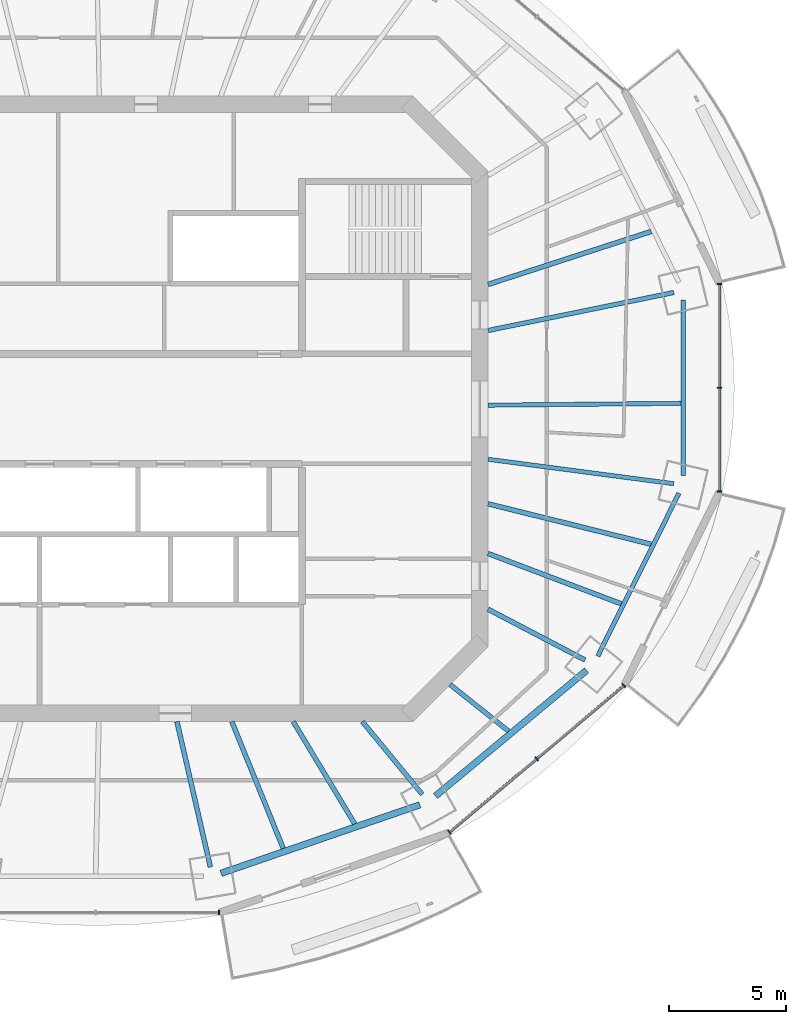
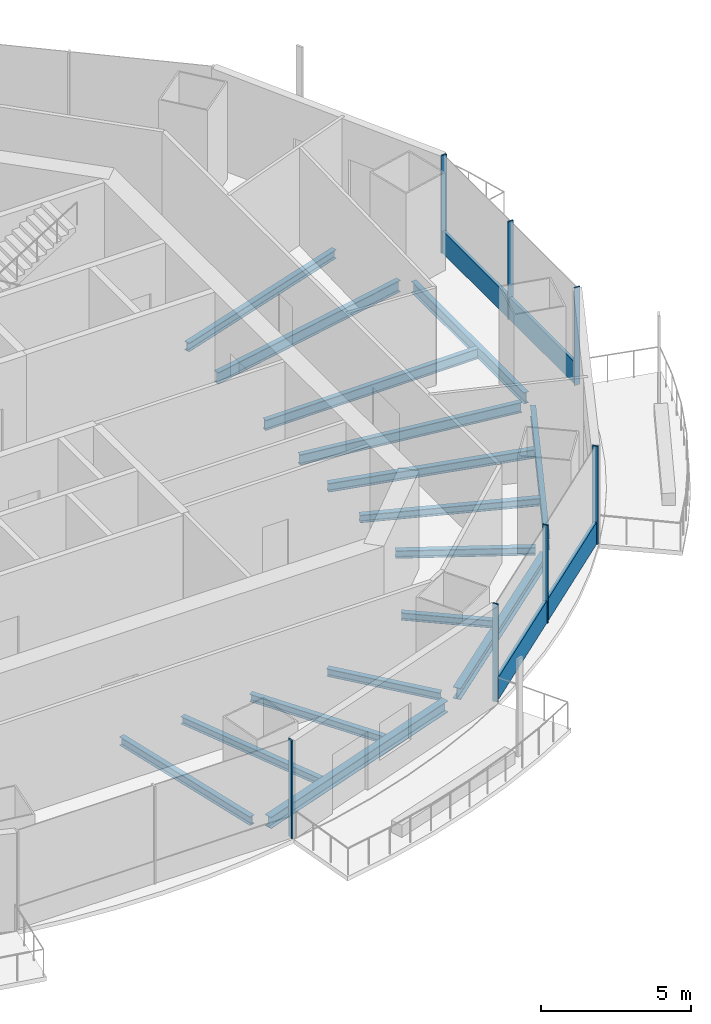
# One storey, part 4 of 16: 16 beams, 9 members, 3 elements without a shape of their own.
"""IFC4 building model written with IfcOpenShell, lengths in metres."""

import ifcopenshell
import ifcopenshell.guid

model = None  # the IFC model being written
_history = None  # IfcOwnerHistory: only IFC2X3 demands one
_inside = {}  # id of a spatial element -> (the spatial element, [elements in it])
_under = {}  # id of a project, library or spatial element -> (it, [spatial elements below it])
_declared = {}  # id of a project -> (the project, [libraries it declares])
_typed = {}  # id of a type object -> (the type object, [elements of that type])
_made_of = {}  # id of a material, layer set ... -> (it, [elements and type objects made of it])


def new_model(schema):
    """Start an empty IFC model of exactly this schema.

    Asked for "IFC4X3", IfcOpenShell would pick the latest addendum, in which some entities
    have other attributes; the version numbers below select the first issue.
    IFC2X3 requires an IfcOwnerHistory on every rooted entity: one is made here for all.
    """
    global model, _history
    if schema == "IFC4X3":
        model = ifcopenshell.file(schema_version=(4, 3, 0, 0))
    else:
        model = ifcopenshell.file(schema=schema)
    _inside.clear()
    _under.clear()
    _declared.clear()
    _typed.clear()
    _made_of.clear()
    _history = None
    if model.schema == "IFC2X3":
        org = make("IfcOrganization", Name="unknown")
        user = make(
            "IfcPersonAndOrganization",
            ThePerson=make("IfcPerson", FamilyName="unknown"),
            TheOrganization=org,
        )
        app = make(
            "IfcApplication",
            ApplicationDeveloper=org,
            Version="unknown",
            ApplicationFullName="unknown",
            ApplicationIdentifier="unknown",
        )
        _history = make(
            "IfcOwnerHistory",
            OwningUser=user,
            OwningApplication=app,
            ChangeAction="ADDED",
            CreationDate=0,
        )
    return model


def make(cls, **values):
    """One entity of the class cls with the attributes given. An attribute that is None is left unset."""
    return model.create_entity(
        cls, **{name: value for name, value in values.items() if value is not None}
    )


def rooted(cls, **values):
    """An entity with a GlobalId (a new one), such as an element, a storey or a relation."""
    return make(cls, GlobalId=ifcopenshell.guid.new(), OwnerHistory=_history, **values)


def si_unit(unit_type, name, prefix=None):
    """IfcSIUnit, for example si_unit("LENGTHUNIT", "METRE", prefix="MILLI")."""
    return make("IfcSIUnit", UnitType=unit_type, Prefix=prefix, Name=name)


def assignment(units):
    """IfcUnitAssignment: the units of a project."""
    return None if units is None else make("IfcUnitAssignment", Units=units)


def point(xyz):
    """IfcCartesianPoint."""
    return None if xyz is None else make("IfcCartesianPoint", Coordinates=xyz)


def direction(xyz):
    """IfcDirection."""
    return None if xyz is None else make("IfcDirection", DirectionRatios=xyz)


def frame(location, z_axis=None, x_axis=None):
    """IfcAxis2Placement3D, a coordinate frame: its origin and axes. An axis left out is left unset."""
    return make(
        "IfcAxis2Placement3D",
        Location=point(location),
        Axis=direction(z_axis),
        RefDirection=direction(x_axis),
    )


def frame_2d(location, x_axis=None):
    """IfcAxis2Placement2D, a coordinate frame in the plane: its origin and x axis."""
    return make(
        "IfcAxis2Placement2D", Location=point(location), RefDirection=direction(x_axis)
    )


def origin():
    """The frame at (0, 0, 0) with its axes left unset."""
    return frame((0.0, 0.0, 0.0))


def origin_2d():
    """The frame at (0, 0) in the plane with its x axis left unset."""
    return frame_2d((0.0, 0.0))


def place(relative_to, where):
    """IfcLocalPlacement: puts the frame where relative to a parent placement (None: the world)."""
    return make(
        "IfcLocalPlacement", PlacementRelTo=relative_to, RelativePlacement=where
    )


def context(
    kind, dimensions, precision=None, world=None, true_north=None, identifier=None
):
    """IfcGeometricRepresentationContext, for example the 3D "Model" context."""
    return make(
        "IfcGeometricRepresentationContext",
        ContextIdentifier=identifier,
        ContextType=kind,
        CoordinateSpaceDimension=dimensions,
        Precision=precision,
        WorldCoordinateSystem=world,
        TrueNorth=true_north,
    )


def subcontext(parent, identifier, kind, view, scale=None):
    """IfcGeometricRepresentationSubContext, for example "Body" below "Model"."""
    return make(
        "IfcGeometricRepresentationSubContext",
        ContextIdentifier=identifier,
        ContextType=kind,
        ParentContext=parent,
        TargetScale=scale,
        TargetView=view,
    )


def project(units=None, contexts=None):
    """IfcProject with its units and contexts."""
    return rooted(
        "IfcProject",
        Name="project",
        RepresentationContexts=contexts,
        UnitsInContext=assignment(units),
    )


def spatial(cls, under=None, at=None, **own):
    """A site, building, storey or space (cls), placed at a placement, below another one or the project."""
    s = rooted(cls, ObjectPlacement=at, **own)
    if under is not None:
        _under.setdefault(under.id(), (under, []))[1].append(s)
    return s


def profile(cls, at=None, kind="AREA", **sizes):
    """A parametric profile (cls). Its sizes go by their IFC names, for example OverallWidth=200.0."""
    return make(cls, ProfileType=kind, Position=at, **sizes)


def rectangle(**sizes):
    """IfcRectangleProfileDef."""
    return profile("IfcRectangleProfileDef", **sizes)


def i_section(**sizes):
    """IfcIShapeProfileDef."""
    return profile("IfcIShapeProfileDef", **sizes)


def extrude(swept, where, along, depth):
    """IfcExtrudedAreaSolid: the profile swept, set in the frame where, extruded along a direction by depth."""
    return make(
        "IfcExtrudedAreaSolid",
        SweptArea=swept,
        Position=where,
        ExtrudedDirection=direction(along),
        Depth=depth,
    )


def shape(context_of_items, identifier, shape_type, items):
    """IfcShapeRepresentation: the items that make up one representation, for example the "Body"."""
    return make(
        "IfcShapeRepresentation",
        ContextOfItems=context_of_items,
        RepresentationIdentifier=identifier,
        RepresentationType=shape_type,
        Items=items,
    )


def material(Name=None, Category=None):
    """IfcMaterial."""
    return make("IfcMaterial", Name=Name, Category=Category)


def material_profile(
    of_material, cross_section, Name=None, Category=None, Priority=None
):
    """IfcMaterialProfile: a cross section and its material."""
    return make(
        "IfcMaterialProfile",
        Name=Name,
        Material=of_material,
        Profile=cross_section,
        Priority=Priority,
        Category=Category,
    )


def profile_set(profiles, Name=None, composite=None):
    """IfcMaterialProfileSet."""
    return make(
        "IfcMaterialProfileSet",
        Name=Name,
        MaterialProfiles=profiles,
        CompositeProfile=composite,
    )


def made_of(thing, what):
    """Note that an element or type object is made of a material, layer set ...; save() writes the relation."""
    if what is not None:
        _made_of.setdefault(what.id(), (what, []))[1].append(thing)
    return thing


def type_object(cls, material=None, **own):
    """A type object (cls), such as IfcWallType, which elements share."""
    return made_of(rooted(cls, **own), material)


def element(
    cls,
    number,
    at=None,
    inside=None,
    cuts=None,
    type_object=None,
    material=None,
    context=None,
    identifier="Body",
    shape_type=None,
    held_by="IfcProductDefinitionShape",
    body=None,
    shapes=None,
    **own,
):
    """One element of the class cls, such as IfcWall. Its Tag is "e" and its number.

    at: its placement. inside: the storey or other place that contains it. cuts: it is an
    opening in that element (IfcRelVoidsElement). A single representation is given by context,
    identifier, shape_type and body (its items); several are given by shapes. held_by: the class
    of the entity that holds the representations. save() writes the other relations.
    """
    e = rooted(cls, Tag="e%d" % number, ObjectPlacement=at, **own)
    if body is not None:
        shapes = [shape(context, identifier, shape_type, body)]
    if shapes is not None:
        e.Representation = make(held_by, Representations=shapes)
    if inside is not None:
        _inside.setdefault(inside.id(), (inside, []))[1].append(e)
    if cuts is not None:
        rooted(
            "IfcRelVoidsElement", RelatingBuildingElement=cuts, RelatedOpeningElement=e
        )
    if type_object is not None:
        _typed.setdefault(type_object.id(), (type_object, []))[1].append(e)
    return made_of(e, material)


def aggregate(whole, parts):
    """IfcRelAggregates: a whole, such as a stair, and the parts it consists of."""
    return rooted("IfcRelAggregates", RelatingObject=whole, RelatedObjects=parts)


def save(model, path):
    """Write the relations noted so far, then the file.

    IfcRelAggregates (storeys below a building ...), IfcRelContainedInSpatialStructure (elements
    in a storey), IfcRelDefinesByType, IfcRelAssociatesMaterial and IfcRelDeclares: one each for
    every whole, place, type object, material and project.
    """
    for whole, parts in _under.values():
        aggregate(whole, parts)
    for where, things in _inside.values():
        rooted(
            "IfcRelContainedInSpatialStructure",
            RelatedElements=things,
            RelatingStructure=where,
        )
    for kind, things in _typed.values():
        rooted("IfcRelDefinesByType", RelatedObjects=things, RelatingType=kind)
    for what, things in _made_of.values():
        rooted("IfcRelAssociatesMaterial", RelatedObjects=things, RelatingMaterial=what)
    for by, libraries in _declared.values():
        rooted("IfcRelDeclares", RelatingContext=by, RelatedDefinitions=libraries)
    model.write(path)


model = new_model("IFC4")

# Units and contexts
model_context = context("Model", 3, precision=1e-05, world=origin(), true_north=direction((0.0, 1.0)))
body_context = subcontext(model_context, "Body", "Model", "MODEL_VIEW")
ifc_project = project(units=[si_unit("LENGTHUNIT", "METRE"), si_unit("AREAUNIT", "SQUARE_METRE"), si_unit("VOLUMEUNIT", "CUBIC_METRE"), si_unit("PLANEANGLEUNIT", "RADIAN"), si_unit("MASSUNIT", "GRAM", prefix="KILO")], contexts=[model_context])

# Site, building, storey
site_placement = place(None, origin())
site = spatial("IfcSite", under=ifc_project, at=site_placement, CompositionType="ELEMENT")
building_placement = place(site_placement, origin())
building = spatial("IfcBuilding", under=site, at=building_placement, Name="Marenthal Gate Tower", CompositionType="ELEMENT")
storey_placement = place(building_placement, frame((0.0, 0.0, 338.449951171875)))
storey = spatial("IfcBuildingStorey", under=building, at=storey_placement, Name="L76", CompositionType="ELEMENT", Elevation=338.449951171875)

# Curtain wall, member
ifc_material_1 = material(Name="Aluminium and glass", Category="aluminium")
curtain_wall_type = type_object("IfcCurtainWallType", Name="Curtain wall typical high", PredefinedType="NOTDEFINED", material=ifc_material_1)
curtain_wall_1_placement = place(storey_placement, origin())
curtain_wall_1 = element("IfcCurtainWall", 1, at=curtain_wall_1_placement, inside=storey, type_object=curtain_wall_type, Name="Curtain wall L76 bay 12", PredefinedType="NOTDEFINED")
ifc_material_2 = material(Name="Aluminium", Category="aluminium")
ifc_material_profile_1 = material_profile(ifc_material_2, rectangle(XDim=0.199951171875, YDim=0.06005859375, at=origin_2d()), Name="60x200 aluminium mullion")
ifc_profile_set_1 = profile_set([ifc_material_profile_1], Name="Aluminium")
member_type_1 = type_object("IfcMemberType", Name="Mullion 60x200 typical high", PredefinedType="MULLION", material=ifc_profile_set_1)
member_1_placement = place(storey_placement, frame((4.866455078125, -21.503173828125, 0.0), z_axis=(0.0, 0.0, 1.0), x_axis=(0.0, 1.0, 0.0)))
member_1 = element("IfcMember", 2, at=member_1_placement, type_object=member_type_1, Name="Mullion L76 bay 12.3", PredefinedType="MULLION", context=body_context, shape_type="SweptSolid", body=[
    extrude(rectangle(XDim=0.199951171875, YDim=0.06005859375, at=origin_2d()), origin(), (0.0, 0.0, 1.0), 3.969970703125),
])
aggregate(curtain_wall_1, [member_1])

# Curtain wall, members
curtain_wall_2_placement = place(storey_placement, origin())
curtain_wall_2 = element("IfcCurtainWall", 3, at=curtain_wall_2_placement, inside=storey, type_object=curtain_wall_type, Name="Curtain wall L76 bay 14", PredefinedType="NOTDEFINED")
member_2_placement = place(storey_placement, frame((14.7060546875, -18.072998046875, 0.0), z_axis=(0.0, 0.0, 1.0), x_axis=(-0.643800653639, 0.765193255572, 0.0)))
member_2 = element("IfcMember", 4, at=member_2_placement, type_object=member_type_1, Name="Mullion L76 bay 14.1", PredefinedType="MULLION", context=body_context, shape_type="SweptSolid", body=[
    extrude(rectangle(XDim=0.199951171875, YDim=0.06005859375, at=origin_2d()), origin(), (0.0, 0.0, 1.0), 3.969970703125),
])
member_3_placement = place(storey_placement, frame((18.428466796875, -14.94140625, 0.0), z_axis=(0.0, 0.0, 1.0), x_axis=(-0.643800653639, 0.765193255572, 0.0)))
member_3 = element("IfcMember", 5, at=member_3_placement, type_object=member_type_1, Name="Mullion L76 bay 14.2", PredefinedType="MULLION", context=body_context, shape_type="SweptSolid", body=[
    extrude(rectangle(XDim=0.199951171875, YDim=0.06005859375, at=origin_2d()), origin(), (0.0, 0.0, 1.0), 3.969970703125),
])
member_4_placement = place(storey_placement, frame((22.150634765625, -11.8095703125, 0.0), z_axis=(0.0, 0.0, 1.0), x_axis=(-0.643800653639, 0.765193255572, 0.0)))
member_4 = element("IfcMember", 6, at=member_4_placement, type_object=member_type_1, Name="Mullion L76 bay 14.3", PredefinedType="MULLION", context=body_context, shape_type="SweptSolid", body=[
    extrude(rectangle(XDim=0.199951171875, YDim=0.06005859375, at=origin_2d()), origin(), (0.0, 0.0, 1.0), 3.969970703125),
])

curtain_wall_3_placement = place(storey_placement, origin())
curtain_wall_3 = element("IfcCurtainWall", 7, at=curtain_wall_3_placement, inside=storey, type_object=curtain_wall_type, Name="Curtain wall L76 bay 16", PredefinedType="NOTDEFINED")
member_5_placement = place(storey_placement, frame((26.227294921875, -3.5263671875, 0.0), z_axis=(0.0, 0.0, 1.0), x_axis=(-1.0, 0.0, 0.0)))
member_5 = element("IfcMember", 8, at=member_5_placement, type_object=member_type_1, Name="Mullion L76 bay 16.1", PredefinedType="MULLION", context=body_context, shape_type="SweptSolid", body=[
    extrude(rectangle(XDim=0.199951171875, YDim=0.06005859375, at=origin_2d()), origin(), (0.0, 0.0, 1.0), 3.969970703125),
])
member_6_placement = place(storey_placement, frame((26.227294921875, 0.89990234375, 0.0), z_axis=(0.0, 0.0, 1.0), x_axis=(-1.0, 0.0, 0.0)))
member_6 = element("IfcMember", 9, at=member_6_placement, type_object=member_type_1, Name="Mullion L76 bay 16.2", PredefinedType="MULLION", context=body_context, shape_type="SweptSolid", body=[
    extrude(rectangle(XDim=0.199951171875, YDim=0.06005859375, at=origin_2d()), origin(), (0.0, 0.0, 1.0), 3.969970703125),
])
member_7_placement = place(storey_placement, frame((26.227294921875, 5.326416015625, 0.0), z_axis=(0.0, 0.0, 1.0), x_axis=(-1.0, 0.0, 0.0)))
member_7 = element("IfcMember", 10, at=member_7_placement, type_object=member_type_1, Name="Mullion L76 bay 16.3", PredefinedType="MULLION", context=body_context, shape_type="SweptSolid", body=[
    extrude(rectangle(XDim=0.199951171875, YDim=0.06005859375, at=origin_2d()), origin(), (0.0, 0.0, 1.0), 3.969970703125),
])

# Member
ifc_material_3 = material(Name="Aluminium", Category="aluminium")
ifc_material_profile_2 = material_profile(ifc_material_3, rectangle(XDim=0.1201171875, YDim=0.89990234375, at=origin_2d()), Name="120x900 aluminium transom")
ifc_profile_set_2 = profile_set([ifc_material_profile_2], Name="Aluminium")
member_type_2 = type_object("IfcMemberType", Name="Transom 120x900 typical high", PredefinedType="USERDEFINED", material=ifc_profile_set_2)
member_8_placement = place(storey_placement, frame((14.72900390625, -18.0537109375, 0.449951171875), z_axis=(0.765197260539, 0.643795893482, 0.0), x_axis=(-0.643795893482, 0.765197260539, 0.0)))
member_8 = element("IfcMember", 11, at=member_8_placement, type_object=member_type_2, Name="Transom L76 bay 14", ObjectType="TRANSOM", PredefinedType="USERDEFINED", context=body_context, shape_type="SweptSolid", body=[
    extrude(rectangle(XDim=0.1201171875, YDim=0.89990234375, at=origin_2d()), origin(), (0.0, 0.0, 1.0), 9.6689453125),
])

aggregate(curtain_wall_2, [member_2, member_3, member_4, member_8])

member_9_placement = place(storey_placement, frame((26.227294921875, -3.496337890625, 0.449951171875), z_axis=(0.0, 1.0, 0.0), x_axis=(-1.0, 0.0, 0.0)))
member_9 = element("IfcMember", 12, at=member_9_placement, type_object=member_type_2, Name="Transom L76 bay 16", ObjectType="TRANSOM", PredefinedType="USERDEFINED", context=body_context, shape_type="SweptSolid", body=[
    extrude(rectangle(XDim=0.1201171875, YDim=0.89990234375, at=origin_2d()), origin(), (0.0, 0.0, 1.0), 8.792724609375),
])

aggregate(curtain_wall_3, [member_5, member_6, member_7, member_9])

# Beams
ifc_material_4 = material(Name="Steel S355", Category="steel")
ifc_material_profile_3 = material_profile(ifc_material_4, i_section(OverallWidth=0.202880859375, OverallDepth=0.302001953125, WebThickness=0.007568359375, FlangeThickness=0.01318359375, FilletRadius=0.0126953125, at=origin_2d()), Name="W310X60")
ifc_profile_set_3 = profile_set([ifc_material_profile_3], Name="Steel S355")
beam_type_1 = type_object("IfcBeamType", Name="W310X60 beam", PredefinedType="BEAM", material=ifc_profile_set_3)
beam_1_placement = place(storey_placement, frame((7.608154296875, -18.765869140625, -0.3310546875), z_axis=(-0.375701229811, 0.926740840753, 0.0), x_axis=(-0.926740840753, -0.375701229811, 0.0)))
element("IfcBeam", 13, at=beam_1_placement, inside=storey, type_object=beam_type_1, Name="BM-L76-35", PredefinedType="BEAM", context=body_context, shape_type="SweptSolid", body=[
    extrude(i_section(OverallWidth=0.202880859375, OverallDepth=0.302001953125, WebThickness=0.007568359375, FlangeThickness=0.01318359375, FilletRadius=0.0126953125, at=origin_2d()), origin(), (0.0, 0.0, 1.0), 5.843994140625),
])
beam_2_placement = place(storey_placement, frame((10.659423828125, -17.71484375, -0.3310546875), z_axis=(-0.515559638843, 0.856853697428, 0.0), x_axis=(-0.856853697428, -0.515559638843, 0.0)))
element("IfcBeam", 14, at=beam_2_placement, inside=storey, type_object=beam_type_1, Name="BM-L76-36", PredefinedType="BEAM", context=body_context, shape_type="SweptSolid", body=[
    extrude(i_section(OverallWidth=0.202880859375, OverallDepth=0.302001953125, WebThickness=0.007568359375, FlangeThickness=0.01318359375, FilletRadius=0.0126953125, at=origin_2d()), origin(), (0.0, 0.0, 1.0), 5.093994140625),
])
beam_3_placement = place(storey_placement, frame((17.22119140625, -13.756591796875, -0.3310546875), z_axis=(-0.781331575315, 0.62411615058, 0.0), x_axis=(-0.62411615058, -0.781331575315, 0.0)))
element("IfcBeam", 15, at=beam_3_placement, inside=storey, type_object=beam_type_1, Name="BM-L76-37", PredefinedType="BEAM", context=body_context, shape_type="SweptSolid", body=[
    extrude(i_section(OverallWidth=0.202880859375, OverallDepth=0.302001953125, WebThickness=0.007568359375, FlangeThickness=0.01318359375, FilletRadius=0.0126953125, at=origin_2d()), origin(), (0.0, 0.0, 1.0), 3.189697265625),
])
ifc_material_5 = material(Name="Steel S355", Category="steel")
ifc_material_profile_4 = material_profile(ifc_material_5, i_section(OverallWidth=0.205078125, OverallDepth=0.31005859375, WebThickness=0.009521484375, FlangeThickness=0.016357421875, FilletRadius=0.0126953125, at=origin_2d()), Name="W310X74")
ifc_profile_set_4 = profile_set([ifc_material_profile_4], Name="Steel S355")
beam_type_2 = type_object("IfcBeamType", Name="W310X74 beam", PredefinedType="BEAM", material=ifc_profile_set_4)
beam_4_placement = place(storey_placement, frame((13.541748046875, -16.458251953125, -0.3349609375), z_axis=(-0.635369145441, 0.772208552803, 0.0), x_axis=(-0.772208552803, -0.635369145441, 0.0)))
element("IfcBeam", 16, at=beam_4_placement, inside=storey, type_object=beam_type_2, Name="BM-L76-14", PredefinedType="BEAM", context=body_context, shape_type="SweptSolid", body=[
    extrude(i_section(OverallWidth=0.205078125, OverallDepth=0.31005859375, WebThickness=0.009521484375, FlangeThickness=0.016357421875, FilletRadius=0.0126953125, at=origin_2d()), origin(), (0.0, 0.0, 1.0), 4.02490234375),
])
beam_5_placement = place(storey_placement, frame((20.489990234375, -10.718994140625, -0.3349609375), z_axis=(-0.886072788462, 0.463546128823, 0.0), x_axis=(-0.463546128823, -0.886072788462, 0.0)))
element("IfcBeam", 17, at=beam_5_placement, inside=storey, type_object=beam_type_2, Name="BM-L76-15", PredefinedType="BEAM", context=body_context, shape_type="SweptSolid", body=[
    extrude(i_section(OverallWidth=0.205078125, OverallDepth=0.31005859375, WebThickness=0.009521484375, FlangeThickness=0.016357421875, FilletRadius=0.0126953125, at=origin_2d()), origin(), (0.0, 0.0, 1.0), 4.672119140625),
])
beam_6_placement = place(storey_placement, frame((22.04248046875, -8.32373046875, -0.3349609375), z_axis=(-0.935515417744, 0.353285866068, 0.0), x_axis=(-0.353285866068, -0.935515417744, 0.0)))
element("IfcBeam", 18, at=beam_6_placement, inside=storey, type_object=beam_type_2, Name="BM-L76-38", PredefinedType="BEAM", context=body_context, shape_type="SweptSolid", body=[
    extrude(i_section(OverallWidth=0.205078125, OverallDepth=0.31005859375, WebThickness=0.009521484375, FlangeThickness=0.016357421875, FilletRadius=0.0126953125, at=origin_2d()), origin(), (0.0, 0.0, 1.0), 6.084716796875),
])
ifc_material_6 = material(Name="Steel S355", Category="steel")
ifc_material_profile_5 = material_profile(ifc_material_6, i_section(OverallWidth=0.205078125, OverallDepth=0.35302734375, WebThickness=0.009521484375, FlangeThickness=0.016845703125, FilletRadius=0.014892578125, at=origin_2d()), Name="W360X79")
ifc_profile_set_5 = profile_set([ifc_material_profile_5], Name="Steel S355")
beam_type_3 = type_object("IfcBeamType", Name="W360X79 beam", PredefinedType="BEAM", material=ifc_profile_set_5)
beam_7_placement = place(storey_placement, frame((4.498291015625, -19.56201171875, -0.3564453125), z_axis=(-0.224106949433, 0.974564556721, 0.0), x_axis=(-0.974564556721, -0.224106949433, 0.0)))
element("IfcBeam", 19, at=beam_7_placement, inside=storey, type_object=beam_type_3, Name="BM-L76-13", PredefinedType="BEAM", context=body_context, shape_type="SweptSolid", body=[
    extrude(i_section(OverallWidth=0.205078125, OverallDepth=0.35302734375, WebThickness=0.009521484375, FlangeThickness=0.016845703125, FilletRadius=0.014892578125, at=origin_2d()), origin(), (0.0, 0.0, 1.0), 6.3740234375),
])
beam_8_placement = place(storey_placement, frame((23.313232421875, 7.572998046875, -0.3564453125), z_axis=(-0.951076454557, -0.308955623978, 0.0), x_axis=(0.308955623978, -0.951076454557, 0.0)))
element("IfcBeam", 20, at=beam_8_placement, inside=storey, type_object=beam_type_3, Name="BM-L76-17", PredefinedType="BEAM", context=body_context, shape_type="SweptSolid", body=[
    extrude(i_section(OverallWidth=0.205078125, OverallDepth=0.35302734375, WebThickness=0.009521484375, FlangeThickness=0.016845703125, FilletRadius=0.014892578125, at=origin_2d()), origin(), (0.0, 0.0, 1.0), 7.3212890625),
])
beam_9_placement = place(storey_placement, frame((23.31005859375, -5.779296875, -0.3564453125), z_axis=(-0.970613311101, 0.240644551805, 0.0), x_axis=(-0.240644551805, -0.970613311101, 0.0)))
element("IfcBeam", 21, at=beam_9_placement, inside=storey, type_object=beam_type_3, Name="BM-L76-39", PredefinedType="BEAM", context=body_context, shape_type="SweptSolid", body=[
    extrude(i_section(OverallWidth=0.205078125, OverallDepth=0.35302734375, WebThickness=0.009521484375, FlangeThickness=0.016845703125, FilletRadius=0.014892578125, at=origin_2d()), origin(), (0.0, 0.0, 1.0), 7.170654296875),
])
ifc_material_7 = material(Name="Steel S355", Category="steel")
ifc_material_profile_6 = material_profile(ifc_material_7, i_section(OverallWidth=0.180908203125, OverallDepth=0.4169921875, WebThickness=0.010986328125, FlangeThickness=0.018310546875, FilletRadius=0.01025390625, at=origin_2d()), Name="W410X85")
ifc_profile_set_6 = profile_set([ifc_material_profile_6], Name="Steel S355")
beam_type_4 = type_object("IfcBeamType", Name="W410X85 beam", PredefinedType="BEAM", material=ifc_profile_set_6)
beam_10_placement = place(storey_placement, frame((24.2763671875, -3.1953125, -0.388427734375), z_axis=(-0.991445770235, 0.130519288548, 0.0), x_axis=(-0.130519288548, -0.991445770235, 0.0)))
element("IfcBeam", 22, at=beam_10_placement, inside=storey, type_object=beam_type_4, Name="BM-L76-16", PredefinedType="BEAM", context=body_context, shape_type="SweptSolid", body=[
    extrude(i_section(OverallWidth=0.180908203125, OverallDepth=0.4169921875, WebThickness=0.010986328125, FlangeThickness=0.018310546875, FilletRadius=0.01025390625, at=origin_2d()), origin(), (0.0, 0.0, 1.0), 7.99462890625),
])
beam_11_placement = place(storey_placement, frame((24.582275390625, 0.2353515625, -0.388427734375), z_axis=(-0.999954122918, -0.00957872955, 0.0), x_axis=(0.00957872955, -0.999954122918, 0.0)))
element("IfcBeam", 23, at=beam_11_placement, inside=storey, type_object=beam_type_4, Name="BM-L76-40", PredefinedType="BEAM", context=body_context, shape_type="SweptSolid", body=[
    extrude(i_section(OverallWidth=0.180908203125, OverallDepth=0.4169921875, WebThickness=0.010986328125, FlangeThickness=0.018310546875, FilletRadius=0.01025390625, at=origin_2d()), origin(), (0.0, 0.0, 1.0), 8.232666015625),
])
ifc_material_8 = material(Name="Steel S355", Category="steel")
ifc_material_profile_7 = material_profile(ifc_material_8, i_section(OverallWidth=0.279052734375, OverallDepth=0.4619140625, WebThickness=0.0107421875, FlangeThickness=0.017333984375, FilletRadius=0.010009765625, at=origin_2d()), Name="W460X113")
ifc_profile_set_7 = profile_set([ifc_material_profile_7], Name="Steel S355")
beam_type_5 = type_object("IfcBeamType", Name="W460X113 beam", PredefinedType="BEAM", material=ifc_profile_set_7)
beam_12_placement = place(storey_placement, frame((4.95458984375, -19.827392578125, -0.410888671875), z_axis=(0.945482518799, 0.325672852179, 0.0), x_axis=(-0.325672852179, 0.945482518799, 0.0)))
element("IfcBeam", 24, at=beam_12_placement, inside=storey, type_object=beam_type_5, Name="BM-L76-53", PredefinedType="BEAM", context=body_context, shape_type="SweptSolid", body=[
    extrude(i_section(OverallWidth=0.279052734375, OverallDepth=0.4619140625, WebThickness=0.0107421875, FlangeThickness=0.017333984375, FilletRadius=0.010009765625, at=origin_2d()), origin(), (0.0, 0.0, 1.0), 8.97265625),
])
beam_13_placement = place(storey_placement, frame((14.105712890625, -16.529052734375, -0.410888671875), z_axis=(0.768886227591, 0.639385618403, 0.0), x_axis=(-0.639385618403, 0.768886227591, 0.0)))
element("IfcBeam", 25, at=beam_13_placement, inside=storey, type_object=beam_type_5, Name="BM-L76-54", PredefinedType="BEAM", context=body_context, shape_type="SweptSolid", body=[
    extrude(i_section(OverallWidth=0.279052734375, OverallDepth=0.4619140625, WebThickness=0.0107421875, FlangeThickness=0.017333984375, FilletRadius=0.010009765625, at=origin_2d()), origin(), (0.0, 0.0, 1.0), 8.39111328125),
])
ifc_material_9 = material(Name="Steel S355", Category="steel")
ifc_material_profile_8 = material_profile(ifc_material_9, i_section(OverallWidth=0.19091796875, OverallDepth=0.45703125, WebThickness=0.009033203125, FlangeThickness=0.014404296875, FilletRadius=0.01025390625, at=origin_2d()), Name="W460X74")
ifc_profile_set_8 = profile_set([ifc_material_profile_8], Name="Steel S355")
beam_type_6 = type_object("IfcBeamType", Name="W460X74 beam", PredefinedType="BEAM", material=ifc_profile_set_8)
beam_14_placement = place(storey_placement, frame((21.0361328125, -10.558349609375, -0.408447265625), z_axis=(0.445880705054, 0.895092395712, 0.0), x_axis=(-0.895092395712, 0.445880705054, 0.0)))
element("IfcBeam", 26, at=beam_14_placement, inside=storey, type_object=beam_type_6, Name="BM-L76-55", PredefinedType="BEAM", context=body_context, shape_type="SweptSolid", body=[
    extrude(i_section(OverallWidth=0.19091796875, OverallDepth=0.45703125, WebThickness=0.009033203125, FlangeThickness=0.014404296875, FilletRadius=0.01025390625, at=origin_2d()), origin(), (0.0, 0.0, 1.0), 7.76904296875),
])
beam_15_placement = place(storey_placement, frame((24.677734375, -2.848388671875, -0.408447265625), z_axis=(0.0, 1.0, 0.0), x_axis=(-1.0, 0.0, 0.0)))
element("IfcBeam", 27, at=beam_15_placement, inside=storey, type_object=beam_type_6, Name="BM-L76-56", PredefinedType="BEAM", context=body_context, shape_type="SweptSolid", body=[
    extrude(i_section(OverallWidth=0.19091796875, OverallDepth=0.45703125, WebThickness=0.009033203125, FlangeThickness=0.014404296875, FilletRadius=0.01025390625, at=origin_2d()), origin(), (0.0, 0.0, 1.0), 7.49658203125),
])
ifc_material_10 = material(Name="Steel S355", Category="steel")
ifc_material_profile_9 = material_profile(ifc_material_10, i_section(OverallWidth=0.193115234375, OverallDepth=0.467041015625, WebThickness=0.011474609375, FlangeThickness=0.01904296875, FilletRadius=0.010009765625, at=origin_2d()), Name="W460X97")
ifc_profile_set_9 = profile_set([ifc_material_profile_9], Name="Steel S355")
beam_type_7 = type_object("IfcBeamType", Name="W460X97 beam", PredefinedType="BEAM", material=ifc_profile_set_9)
beam_16_placement = place(storey_placement, frame((24.285400390625, 4.9677734375, -0.413330078125), z_axis=(-0.979711031697, -0.200415304733, 0.0), x_axis=(0.200415304733, -0.979711031697, 0.0)))
element("IfcBeam", 28, at=beam_16_placement, inside=storey, type_object=beam_type_7, Name="BM-L76-01", PredefinedType="BEAM", context=body_context, shape_type="SweptSolid", body=[
    extrude(i_section(OverallWidth=0.193115234375, OverallDepth=0.467041015625, WebThickness=0.011474609375, FlangeThickness=0.01904296875, FilletRadius=0.010009765625, at=origin_2d()), origin(), (0.0, 0.0, 1.0), 8.099609375),
])

save(model, "model.ifc")
